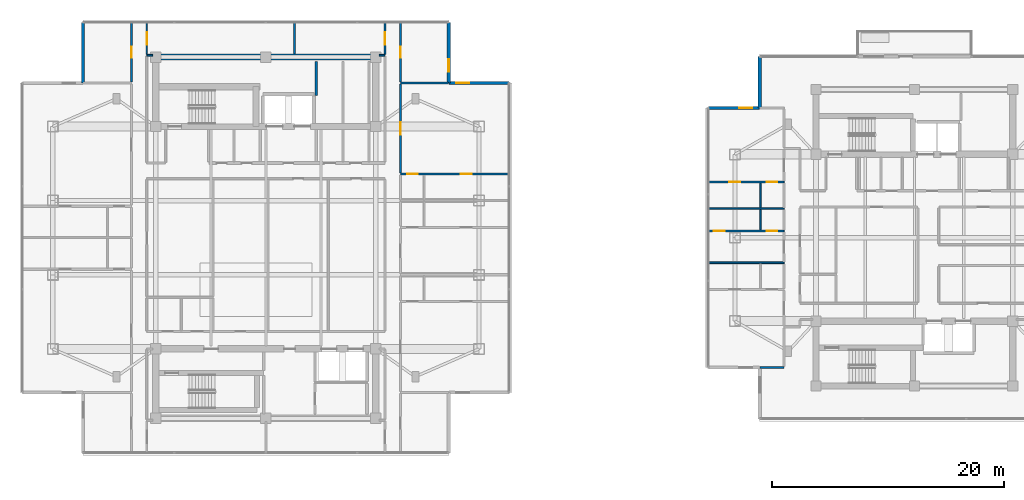
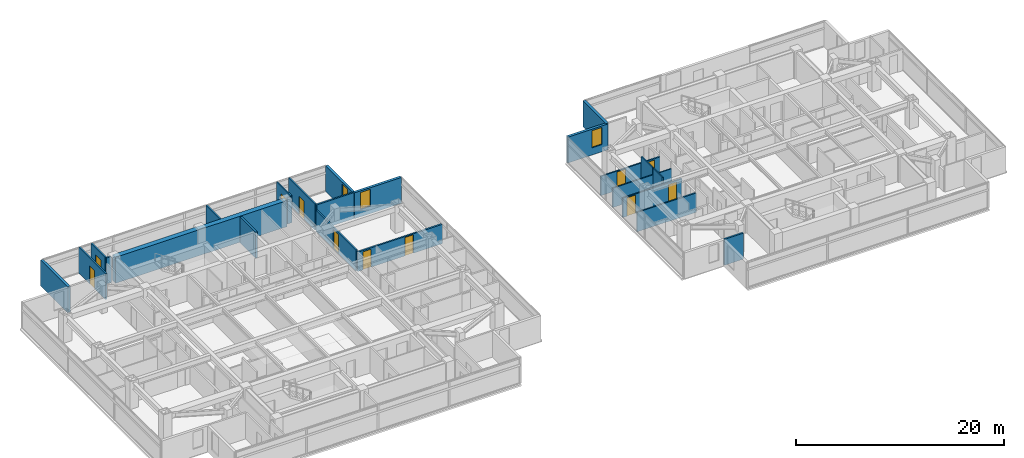
# One storey, part 16 of 26: 24 walls, 11 doors, 3 windows, 14 openings.
"""IFC4 building model written with IfcOpenShell, lengths in metres."""

from ifc_helpers import new_model, si_unit, direction, frame, frame_2d, origin, place, context, subcontext, project, spatial, rectangle, extrude, material, layer, layer_set, type_object, element, fill, save


model = new_model("IFC4")

# Units and contexts
model_context = context("Model", 3, precision=1e-05, world=origin(), true_north=direction((0.0, 1.0)))
body_context = subcontext(model_context, "Body", "Model", "MODEL_VIEW")
ifc_project = project(units=[si_unit("LENGTHUNIT", "METRE"), si_unit("AREAUNIT", "SQUARE_METRE"), si_unit("VOLUMEUNIT", "CUBIC_METRE"), si_unit("PLANEANGLEUNIT", "RADIAN"), si_unit("MASSUNIT", "GRAM", prefix="KILO")], contexts=[model_context])

# Site, building, storey
site_placement = place(None, origin())
site = spatial("IfcSite", under=ifc_project, at=site_placement, CompositionType="ELEMENT")
building_placement = place(site_placement, origin())
building = spatial("IfcBuilding", under=site, at=building_placement, Name="Mirazonda Arch Towers", CompositionType="ELEMENT")
storey_placement = place(building_placement, frame((0.0, 0.0, 203.14990234375)))
storey = spatial("IfcBuildingStorey", under=building, at=storey_placement, Name="L58", CompositionType="ELEMENT", Elevation=203.14990234375)

# Wall
ifc_material_1 = material(Name="Concrete C50/60", Category="concrete")
ifc_layer_1 = layer(ifc_material_1, 0.550048828125, Name="WALL-CORE-550")
ifc_layer_set_1 = layer_set([ifc_layer_1], Name="Concrete C50/60")
wall_type_1 = type_object("IfcWallType", Name="WALL-CORE-550", PredefinedType="SHEAR", material=ifc_layer_set_1)
wall_1_placement = place(storey_placement, frame((11.0, 43.60009765625, 0.0), z_axis=(0.0, 0.0, 1.0), x_axis=(1.0, 0.0, 0.0)))
element("IfcWall", 1, at=wall_1_placement, inside=storey, type_object=wall_type_1, Name="L58 T1N-N Core Shear Wall", PredefinedType="SHEAR", context=body_context, shape_type="SweptSolid", body=[
    extrude(rectangle(XDim=19.0, YDim=0.550048828125, at=frame_2d((9.5, 0.0))), origin(), (0.0, 0.0, 1.0), 3.050048828125),
])

# Wall, opening, window
ifc_material_2 = material(Name="Precast Concrete C40/50", Category="concrete")
ifc_layer_2 = layer(ifc_material_2, 0.280029296875, Name="WALL-EXT-WALL-280")
ifc_layer_set_2 = layer_set([ifc_layer_2], Name="Precast Concrete C40/50")
wall_type_2 = type_object("IfcWallType", Name="WALL-EXT-WALL-280", PredefinedType="SOLIDWALL", material=ifc_layer_set_2)
wall_2_placement = place(storey_placement, frame((36.294921875, 41.363037109375, 0.0), z_axis=(0.0, 0.0, 1.0), x_axis=(0.0, 1.0, 0.0)))
wall_2 = element("IfcWall", 2, at=wall_2_placement, inside=storey, type_object=wall_type_2, Name="L58 T1 Notched NE Corner Wall WL-L58-T1-CNE", PredefinedType="SOLIDWALL", context=body_context, shape_type="SweptSolid", body=[
    extrude(rectangle(XDim=5.21484375, YDim=0.280029296875, at=frame_2d((2.607421875, 0.0))), origin(), (0.0, 0.0, 1.0), 3.030029296875),
])
opening_1_placement = place(wall_2_placement, frame((0.949951171875, 0.0, 0.85009765625)))
opening_1 = element("IfcOpeningElement", 3, at=opening_1_placement, cuts=wall_2, Name="Opening WN-108", PredefinedType="OPENING", context=body_context, shape_type="SweptSolid", body=[
    extrude(rectangle(XDim=1.10009765625, YDim=2.0, at=frame_2d((0.550048828125, 1.0))), frame((0.0, 0.14990234375, 0.0), z_axis=(0.0, -1.0, 0.0), x_axis=(1.0, 0.0, 0.0)), (0.0, 0.0, 1.0), 0.300048828125),
])
ifc_material_3 = material(Name="Insulated Low-E Solar Glass", Category="glass")
window_type = type_object("IfcWindowType", Name="WIN-NOTCH-1100x2000", PartitioningType="SINGLE_PANEL", PredefinedType="WINDOW", material=ifc_material_3)
window_1_placement = place(opening_1_placement, origin())
window_1 = element("IfcWindow", 4, at=window_1_placement, inside=storey, type_object=window_type, Name="L58 Punched Facade Window WN-L58-T1-CNE", OverallHeight=2.0, OverallWidth=1.10009765625, PartitioningType="SINGLE_PANEL", PredefinedType="WINDOW", context=body_context, shape_type="SweptSolid", body=[
    extrude(rectangle(XDim=1.10009765625, YDim=2.0, at=frame_2d((0.550048828125, 1.0))), frame((0.0, 0.030029296875, 0.0), z_axis=(0.0, -1.0, 0.0), x_axis=(1.0, 0.0, 0.0)), (0.0, 0.0, 1.0), 0.06005859375),
])
fill(opening_1, window_1)

# Wall
wall_3_placement = place(storey_placement, frame((4.705078125, 46.577880859375, 0.0), z_axis=(0.0, 0.0, 1.0), x_axis=(0.0, -1.0, 0.0)))
element("IfcWall", 5, at=wall_3_placement, inside=storey, type_object=wall_type_2, Name="L58 T1 Corner Notch Return Wall WL-L58-T1-CNW2", PredefinedType="SOLIDWALL", context=body_context, shape_type="SweptSolid", body=[
    extrude(rectangle(XDim=5.21484375, YDim=0.280029296875, at=frame_2d((2.607421875, 0.0))), origin(), (0.0, 0.0, 1.0), 3.030029296875),
])

# Wall, opening, window
wall_4_placement = place(storey_placement, frame((41.510009765625, 41.363037109375, 0.0), z_axis=(0.0, 0.0, 1.0), x_axis=(-1.0, 0.0, 0.0)))
wall_4 = element("IfcWall", 6, at=wall_4_placement, inside=storey, type_object=wall_type_2, Name="L58 T1 Corner Notch Return Wall WL-L58-T1-CNE2", PredefinedType="SOLIDWALL", context=body_context, shape_type="SweptSolid", body=[
    extrude(rectangle(XDim=5.215087890625, YDim=0.280029296875, at=frame_2d((2.607421875, 0.0))), origin(), (0.0, 0.0, 1.0), 3.030029296875),
])
opening_2_placement = place(wall_4_placement, frame((3.465087890625, 0.0, 0.85009765625)))
opening_2 = element("IfcOpeningElement", 7, at=opening_2_placement, cuts=wall_4, Name="Opening WN-108", PredefinedType="OPENING", context=body_context, shape_type="SweptSolid", body=[
    extrude(rectangle(XDim=1.10009765625, YDim=2.0, at=frame_2d((0.550048828125, 1.0))), frame((0.0, 0.14990234375, 0.0), z_axis=(0.0, -1.0, 0.0), x_axis=(1.0, 0.0, 0.0)), (0.0, 0.0, 1.0), 0.300048828125),
])
window_2_placement = place(opening_2_placement, origin())
window_2 = element("IfcWindow", 8, at=window_2_placement, inside=storey, type_object=window_type, Name="L58 Punched Facade Window WN-L58-T1-CNE2", OverallHeight=2.0, OverallWidth=1.10009765625, PartitioningType="SINGLE_PANEL", PredefinedType="WINDOW", context=body_context, shape_type="SweptSolid", body=[
    extrude(rectangle(XDim=1.10009765625, YDim=2.0, at=frame_2d((0.550048828125, 1.0))), frame((0.0, 0.030029296875, 0.0), z_axis=(0.0, -1.0, 0.0), x_axis=(1.0, 0.0, 0.0)), (0.0, 0.0, 1.0), 0.06005859375),
])
fill(opening_2, window_2)

wall_5_placement = place(storey_placement, frame((63.13427734375, 39.198486328125, 0.0), z_axis=(0.0, 0.0, 1.0), x_axis=(-1.0, 0.0, 0.0)))
wall_5 = element("IfcWall", 9, at=wall_5_placement, inside=storey, type_object=wall_type_2, Name="L58 T2 Corner Notch Return Wall WL-L58-T2-CNW1", PredefinedType="SOLIDWALL", context=body_context, shape_type="SweptSolid", body=[
    extrude(rectangle(XDim=4.439697265625, YDim=0.280029296875, at=frame_2d((2.2197265625, 0.0))), origin(), (0.0, 0.0, 1.0), 3.030029296875),
])
opening_3_placement = place(wall_5_placement, frame((0.64990234375, 0.0, 0.85009765625)))
opening_3 = element("IfcOpeningElement", 10, at=opening_3_placement, cuts=wall_5, Name="Opening WN-108", PredefinedType="OPENING", context=body_context, shape_type="SweptSolid", body=[
    extrude(rectangle(XDim=1.10009765625, YDim=2.0, at=frame_2d((0.550048828125, 1.0))), frame((0.0, 0.14990234375, 0.0), z_axis=(0.0, -1.0, 0.0), x_axis=(1.0, 0.0, 0.0)), (0.0, 0.0, 1.0), 0.300048828125),
])
window_3_placement = place(opening_3_placement, origin())
window_3 = element("IfcWindow", 11, at=window_3_placement, inside=storey, type_object=window_type, Name="L58 Punched Facade Window WN-L58-T2-CNW1", OverallHeight=2.0, OverallWidth=1.10009765625, PartitioningType="SINGLE_PANEL", PredefinedType="WINDOW", context=body_context, shape_type="SweptSolid", body=[
    extrude(rectangle(XDim=1.10009765625, YDim=2.0, at=frame_2d((0.550048828125, 1.0))), frame((0.0, 0.030029296875, 0.0), z_axis=(0.0, -1.0, 0.0), x_axis=(1.0, 0.0, 0.0)), (0.0, 0.0, 1.0), 0.06005859375),
])
fill(opening_3, window_3)

# Walls
wall_6_placement = place(storey_placement, frame((63.13427734375, 43.63818359375, 0.0), z_axis=(0.0, 0.0, 1.0), x_axis=(0.0, -1.0, 0.0)))
element("IfcWall", 12, at=wall_6_placement, inside=storey, type_object=wall_type_2, Name="L58 T2 Corner Notch Return Wall WL-L58-T2-CNW2", PredefinedType="SOLIDWALL", context=body_context, shape_type="SweptSolid", body=[
    extrude(rectangle(XDim=4.439697265625, YDim=0.280029296875, at=frame_2d((2.2197265625, 0.0))), origin(), (0.0, 0.0, 1.0), 3.030029296875),
])
ifc_material_4 = material(Name="Concrete C40/50", Category="concrete")
ifc_layer_3 = layer(ifc_material_4, 0.219970703125, Name="WALL-FFL-220")
ifc_layer_set_3 = layer_set([ifc_layer_3], Name="Concrete C40/50")
wall_type_3 = type_object("IfcWallType", Name="WALL-FFL-220", PredefinedType="SOLIDWALL", material=ifc_layer_set_3)
wall_7_placement = place(storey_placement, frame((24.85009765625, 40.260009765625, 0.0), z_axis=(0.0, 0.0, 1.0), x_axis=(0.0, 1.0, 0.0)))
element("IfcWall", 13, at=wall_7_placement, inside=storey, type_object=wall_type_3, Name="L58 Interior Partition 090", PredefinedType="SOLIDWALL", context=body_context, shape_type="SweptSolid", body=[
    extrude(rectangle(XDim=2.93994140625, YDim=0.219970703125, at=frame_2d((1.469970703125, 0.0))), origin(), (0.0, 0.0, 1.0), 3.050048828125),
])
ifc_material_5 = material(Name="Fire-Rated Gypsum Stud Partition")
ifc_layer_4 = layer(ifc_material_5, 0.14990234375, Name="WALL-PART-CORR-150")
ifc_layer_set_4 = layer_set([ifc_layer_4], Name="Fire-Rated Gypsum Stud Partition")
wall_type_4 = type_object("IfcWallType", Name="WALL-PART-CORR-150", PredefinedType="PARTITIONING", material=ifc_layer_set_4)
wall_8_placement = place(storey_placement, frame((58.694091796875, 25.833984375, 0.0), z_axis=(0.0, 0.0, 1.0), x_axis=(1.0, 0.0, 0.0)))
element("IfcWall", 14, at=wall_8_placement, inside=storey, type_object=wall_type_4, Name="L58 Interior Partition 029", PredefinedType="PARTITIONING", context=body_context, shape_type="SweptSolid", body=[
    extrude(rectangle(XDim=6.555908203125, YDim=0.14990234375, at=frame_2d((3.27783203125, 0.0))), origin(), (0.0, 0.0, 1.0), 2.26904296875),
])

# Wall, openings, doors
wall_9_placement = place(storey_placement, frame((58.694091796875, 28.587890625, 0.0), z_axis=(0.0, 0.0, 1.0), x_axis=(1.0, 0.0, 0.0)))
wall_9 = element("IfcWall", 15, at=wall_9_placement, inside=storey, type_object=wall_type_4, Name="L58 Interior Partition 032", PredefinedType="PARTITIONING", context=body_context, shape_type="SweptSolid", body=[
    extrude(rectangle(XDim=6.555908203125, YDim=0.14990234375, at=frame_2d((3.27783203125, 0.0))), origin(), (0.0, 0.0, 1.0), 2.26904296875),
])
opening_4_placement = place(wall_9_placement, frame((0.452880859375, 0.0, 0.0)))
opening_4 = element("IfcOpeningElement", 16, at=opening_4_placement, cuts=wall_9, Name="Opening DR-104", PredefinedType="OPENING", context=body_context, shape_type="SweptSolid", body=[
    extrude(rectangle(XDim=0.949951171875, YDim=2.14990234375, at=frame_2d((0.47509765625, 1.074951171875))), frame((0.0, 0.0849609375, 0.0), z_axis=(0.0, -1.0, 0.0), x_axis=(1.0, 0.0, 0.0)), (0.0, 0.0, 1.0), 0.169921875),
])
opening_5_placement = place(wall_9_placement, frame((5.06591796875, 0.0, 0.0)))
opening_5 = element("IfcOpeningElement", 17, at=opening_5_placement, cuts=wall_9, Name="Opening DR-120", PredefinedType="OPENING", context=body_context, shape_type="SweptSolid", body=[
    extrude(rectangle(XDim=0.89990234375, YDim=2.10009765625, at=frame_2d((0.449951171875, 1.050048828125))), frame((0.0, 0.0849609375, 0.0), z_axis=(0.0, -1.0, 0.0), x_axis=(1.0, 0.0, 0.0)), (0.0, 0.0, 1.0), 0.169921875),
])
ifc_material_6 = material(Name="Architectural Brushed Steel S355", Category="steel")
door_type_1 = type_object("IfcDoorType", Name="DOOR-ROOM-950", OperationType="NOTDEFINED", PredefinedType="DOOR", material=ifc_material_6)
door_1_placement = place(opening_4_placement, origin())
door_1 = element("IfcDoor", 18, at=door_1_placement, inside=storey, type_object=door_type_1, Name="L58 Studio 2 Galley Kitchen Door", OperationType="SINGLE_SWING_LEFT", OverallHeight=2.14990234375, OverallWidth=0.949951171875, PredefinedType="DOOR", context=body_context, shape_type="SweptSolid", body=[
    extrude(rectangle(XDim=0.949951171875, YDim=2.14990234375, at=frame_2d((0.47509765625, 1.074951171875))), frame((0.0, 0.02490234375, 0.0), z_axis=(0.0, -1.0, 0.0), x_axis=(1.0, 0.0, 0.0)), (0.0, 0.0, 1.0), 0.050048828125),
])
fill(opening_4, door_1)
door_type_2 = type_object("IfcDoorType", Name="DOOR-WC-900", OperationType="NOTDEFINED", PredefinedType="DOOR", material=ifc_material_6)
door_2_placement = place(opening_5_placement, origin())
door_2 = element("IfcDoor", 19, at=door_2_placement, inside=storey, type_object=door_type_2, Name="L58 Studio 2 Bathroom Door", OperationType="SINGLE_SWING_RIGHT", OverallHeight=2.10009765625, OverallWidth=0.89990234375, PredefinedType="DOOR", context=body_context, shape_type="SweptSolid", body=[
    extrude(rectangle(XDim=0.89990234375, YDim=2.10009765625, at=frame_2d((0.449951171875, 1.050048828125))), frame((0.0, 0.02490234375, 0.0), z_axis=(0.0, -1.0, 0.0), x_axis=(1.0, 0.0, 0.0)), (0.0, 0.0, 1.0), 0.050048828125),
])
fill(opening_5, door_2)

wall_10_placement = place(storey_placement, frame((58.694091796875, 32.80810546875, 0.0), z_axis=(0.0, 0.0, 1.0), x_axis=(1.0, 0.0, 0.0)))
wall_10 = element("IfcWall", 20, at=wall_10_placement, inside=storey, type_object=wall_type_4, Name="L58 Interior Partition 041", PredefinedType="PARTITIONING", context=body_context, shape_type="SweptSolid", body=[
    extrude(rectangle(XDim=6.555908203125, YDim=0.14990234375, at=frame_2d((3.27783203125, 0.0))), origin(), (0.0, 0.0, 1.0), 2.26904296875),
])
opening_6_placement = place(wall_10_placement, frame((1.802978515625, 0.0, 0.0)))
opening_6 = element("IfcOpeningElement", 21, at=opening_6_placement, cuts=wall_10, Name="Opening DR-104", PredefinedType="OPENING", context=body_context, shape_type="SweptSolid", body=[
    extrude(rectangle(XDim=0.949951171875, YDim=2.14990234375, at=frame_2d((0.47509765625, 1.074951171875))), frame((0.0, 0.0849609375, 0.0), z_axis=(0.0, -1.0, 0.0), x_axis=(1.0, 0.0, 0.0)), (0.0, 0.0, 1.0), 0.169921875),
])
opening_7_placement = place(wall_10_placement, frame((5.06591796875, 0.0, 0.0)))
opening_7 = element("IfcOpeningElement", 22, at=opening_7_placement, cuts=wall_10, Name="Opening DR-120", PredefinedType="OPENING", context=body_context, shape_type="SweptSolid", body=[
    extrude(rectangle(XDim=0.89990234375, YDim=2.10009765625, at=frame_2d((0.449951171875, 1.050048828125))), frame((0.0, 0.0849609375, 0.0), z_axis=(0.0, -1.0, 0.0), x_axis=(1.0, 0.0, 0.0)), (0.0, 0.0, 1.0), 0.169921875),
])
door_3_placement = place(opening_6_placement, origin())
door_3 = element("IfcDoor", 23, at=door_3_placement, inside=storey, type_object=door_type_1, Name="L58 Studio 3 Galley Kitchen Door", OperationType="SINGLE_SWING_RIGHT", OverallHeight=2.14990234375, OverallWidth=0.949951171875, PredefinedType="DOOR", context=body_context, shape_type="SweptSolid", body=[
    extrude(rectangle(XDim=0.949951171875, YDim=2.14990234375, at=frame_2d((0.47509765625, 1.074951171875))), frame((0.0, 0.02490234375, 0.0), z_axis=(0.0, -1.0, 0.0), x_axis=(1.0, 0.0, 0.0)), (0.0, 0.0, 1.0), 0.050048828125),
])
fill(opening_6, door_3)
door_4_placement = place(opening_7_placement, origin())
door_4 = element("IfcDoor", 24, at=door_4_placement, inside=storey, type_object=door_type_2, Name="L58 Studio 3 Bathroom Door", OperationType="SINGLE_SWING_LEFT", OverallHeight=2.10009765625, OverallWidth=0.89990234375, PredefinedType="DOOR", context=body_context, shape_type="SweptSolid", body=[
    extrude(rectangle(XDim=0.89990234375, YDim=2.10009765625, at=frame_2d((0.449951171875, 1.050048828125))), frame((0.0, 0.02490234375, 0.0), z_axis=(0.0, -1.0, 0.0), x_axis=(1.0, 0.0, 0.0)), (0.0, 0.0, 1.0), 0.050048828125),
])
fill(opening_7, door_4)

# Walls
for number, where, z_axis, x_axis, name in (
    (25, (10.219970703125, 43.75, 0.0), (0.0, 0.0, 1.0), (1.0, 0.0, 0.0), "L58 Interior Partition 056"),
    (26, (30.27001953125, 43.75, 0.0), (0.0, 0.0, 1.0), (1.0, 0.0, 0.0), "L58 Interior Partition 057"),
):
    element("IfcWall", number, at=place(storey_placement, frame(where, z_axis=z_axis, x_axis=x_axis)), inside=storey, type_object=wall_type_4, Name=name, PredefinedType="PARTITIONING", context=body_context, shape_type="SweptSolid", body=[
        extrude(rectangle(XDim=0.510009765625, YDim=0.14990234375, at=frame_2d((0.2548828125, 0.0))), origin(), (0.0, 0.0, 1.0), 3.050048828125),
    ])

# Wall, opening, door
wall_11_placement = place(storey_placement, frame((10.219970703125, 43.8349609375, 0.0), z_axis=(0.0, 0.0, 1.0), x_axis=(0.0, 1.0, 0.0)))
wall_11 = element("IfcWall", 27, at=wall_11_placement, inside=storey, type_object=wall_type_4, Name="L58 Interior Partition 071", PredefinedType="PARTITIONING", context=body_context, shape_type="SweptSolid", body=[
    extrude(rectangle(XDim=2.742919921875, YDim=0.14990234375, at=frame_2d((1.37158203125, 0.0))), origin(), (0.0, 0.0, 1.0), 3.050048828125),
])
opening_8_placement = place(wall_11_placement, frame((0.846435546875, 0.0, 0.0)))
opening_8 = element("IfcOpeningElement", 28, at=opening_8_placement, cuts=wall_11, Name="Opening DR-121", PredefinedType="OPENING", context=body_context, shape_type="SweptSolid", body=[
    extrude(rectangle(XDim=1.050048828125, YDim=2.199951171875, at=frame_2d((0.52490234375, 1.10009765625))), frame((0.0, 0.0849609375, 0.0), z_axis=(0.0, -1.0, 0.0), x_axis=(1.0, 0.0, 0.0)), (0.0, 0.0, 1.0), 0.169921875),
])
door_type_3 = type_object("IfcDoorType", Name="DOOR-SUITE-FD60-1050", OperationType="NOTDEFINED", PredefinedType="DOOR", material=ifc_material_6)
door_5_placement = place(opening_8_placement, origin())
door_5 = element("IfcDoor", 29, at=door_5_placement, inside=storey, type_object=door_type_3, Name="L58 North Reading Salon West Door", OperationType="SINGLE_SWING_RIGHT", OverallHeight=2.199951171875, OverallWidth=1.050048828125, PredefinedType="DOOR", context=body_context, shape_type="SweptSolid", body=[
    extrude(rectangle(XDim=1.050048828125, YDim=2.199951171875, at=frame_2d((0.52490234375, 1.10009765625))), frame((0.0, 0.02490234375, 0.0), z_axis=(0.0, -1.0, 0.0), x_axis=(1.0, 0.0, 0.0)), (0.0, 0.0, 1.0), 0.050048828125),
])
fill(opening_8, door_5)

# Wall
wall_12_placement = place(storey_placement, frame((22.967041015625, 43.8701171875, 0.0), z_axis=(0.0, 0.0, 1.0), x_axis=(0.0, 1.0, 0.0)))
element("IfcWall", 30, at=wall_12_placement, inside=storey, type_object=wall_type_4, Name="L58 Interior Partition 085", PredefinedType="PARTITIONING", context=body_context, shape_type="SweptSolid", body=[
    extrude(rectangle(XDim=2.707763671875, YDim=0.14990234375, at=frame_2d((1.35400390625, 0.0))), origin(), (0.0, 0.0, 1.0), 3.050048828125),
])

# Wall, opening, door
wall_13_placement = place(storey_placement, frame((30.780029296875, 43.8349609375, 0.0), z_axis=(0.0, 0.0, 1.0), x_axis=(0.0, 1.0, 0.0)))
wall_13 = element("IfcWall", 31, at=wall_13_placement, inside=storey, type_object=wall_type_4, Name="L58 Interior Partition 102", PredefinedType="PARTITIONING", context=body_context, shape_type="SweptSolid", body=[
    extrude(rectangle(XDim=2.742919921875, YDim=0.14990234375, at=frame_2d((1.37158203125, 0.0))), origin(), (0.0, 0.0, 1.0), 3.050048828125),
])
opening_9_placement = place(wall_13_placement, frame((0.846435546875, 0.0, 0.0)))
opening_9 = element("IfcOpeningElement", 32, at=opening_9_placement, cuts=wall_13, Name="Opening DR-121", PredefinedType="OPENING", context=body_context, shape_type="SweptSolid", body=[
    extrude(rectangle(XDim=1.050048828125, YDim=2.199951171875, at=frame_2d((0.52490234375, 1.10009765625))), frame((0.0, 0.0849609375, 0.0), z_axis=(0.0, -1.0, 0.0), x_axis=(1.0, 0.0, 0.0)), (0.0, 0.0, 1.0), 0.169921875),
])
door_6_placement = place(opening_9_placement, origin())
door_6 = element("IfcDoor", 33, at=door_6_placement, inside=storey, type_object=door_type_3, Name="L58 North Reading Salon East Door", OperationType="SINGLE_SWING_LEFT", OverallHeight=2.199951171875, OverallWidth=1.050048828125, PredefinedType="DOOR", context=body_context, shape_type="SweptSolid", body=[
    extrude(rectangle(XDim=1.050048828125, YDim=2.199951171875, at=frame_2d((0.52490234375, 1.10009765625))), frame((0.0, 0.02490234375, 0.0), z_axis=(0.0, -1.0, 0.0), x_axis=(1.0, 0.0, 0.0)), (0.0, 0.0, 1.0), 0.050048828125),
])
fill(opening_9, door_6)

# Wall
ifc_material_7 = material(Name="Fire-Rated Gypsum Twin-Stud Assembly")
ifc_layer_5 = layer(ifc_material_7, 0.179931640625, Name="WALL-PART-DEMISE-180")
ifc_layer_set_5 = layer_set([ifc_layer_5], Name="Fire-Rated Gypsum Twin-Stud Assembly")
wall_type_5 = type_object("IfcWallType", Name="WALL-PART-DEMISE-180", PredefinedType="PARTITIONING", material=ifc_layer_set_5)
wall_14_placement = place(storey_placement, frame((63.154296875, 16.801025390625, 0.0), z_axis=(0.0, 0.0, 1.0), x_axis=(1.0, 0.0, 0.0)))
element("IfcWall", 34, at=wall_14_placement, inside=storey, type_object=wall_type_5, Name="L58 Interior Partition 008", PredefinedType="PARTITIONING", context=body_context, shape_type="SweptSolid", body=[
    extrude(rectangle(XDim=2.095703125, YDim=0.179931640625, at=frame_2d((1.0478515625, 0.0))), origin(), (0.0, 0.0, 1.0), 3.050048828125),
])

# Wall, openings, doors
wall_15_placement = place(storey_placement, frame((32.1201171875, 33.5, 0.0), z_axis=(0.0, 0.0, 1.0), x_axis=(1.0, 0.0, 0.0)))
wall_15 = element("IfcWall", 35, at=wall_15_placement, inside=storey, type_object=wall_type_5, Name="L58 Interior Partition 043", PredefinedType="PARTITIONING", context=body_context, shape_type="SweptSolid", body=[
    extrude(rectangle(XDim=9.389892578125, YDim=0.179931640625, at=frame_2d((4.69482421875, 0.0))), origin(), (0.0, 0.0, 1.0), 2.26904296875),
])
opening_10_placement = place(wall_15_placement, frame((5.219970703125, 0.0, 0.0)))
opening_10 = element("IfcOpeningElement", 36, at=opening_10_placement, cuts=wall_15, Name="Opening DR-104", PredefinedType="OPENING", context=body_context, shape_type="SweptSolid", body=[
    extrude(rectangle(XDim=0.949951171875, YDim=2.14990234375, at=frame_2d((0.47509765625, 1.074951171875))), frame((0.0, 0.099853515625, 0.0), z_axis=(0.0, -1.0, 0.0), x_axis=(1.0, 0.0, 0.0)), (0.0, 0.0, 1.0), 0.199951171875),
])
opening_11_placement = place(wall_15_placement, frame((0.590087890625, 0.0, 0.0)))
opening_11 = element("IfcOpeningElement", 37, at=opening_11_placement, cuts=wall_15, Name="Opening DR-120", PredefinedType="OPENING", context=body_context, shape_type="SweptSolid", body=[
    extrude(rectangle(XDim=0.89990234375, YDim=2.10009765625, at=frame_2d((0.449951171875, 1.050048828125))), frame((0.0, 0.099853515625, 0.0), z_axis=(0.0, -1.0, 0.0), x_axis=(1.0, 0.0, 0.0)), (0.0, 0.0, 1.0), 0.199951171875),
])
door_7_placement = place(opening_10_placement, origin())
door_7 = element("IfcDoor", 38, at=door_7_placement, inside=storey, type_object=door_type_1, Name="L58 Suite Bedroom 3 Door", OperationType="SINGLE_SWING_LEFT", OverallHeight=2.14990234375, OverallWidth=0.949951171875, PredefinedType="DOOR", context=body_context, shape_type="SweptSolid", body=[
    extrude(rectangle(XDim=0.949951171875, YDim=2.14990234375, at=frame_2d((0.47509765625, 1.074951171875))), frame((0.0, 0.02490234375, 0.0), z_axis=(0.0, -1.0, 0.0), x_axis=(1.0, 0.0, 0.0)), (0.0, 0.0, 1.0), 0.050048828125),
])
fill(opening_10, door_7)
door_8_placement = place(opening_11_placement, origin())
door_8 = element("IfcDoor", 39, at=door_8_placement, inside=storey, type_object=door_type_2, Name="L58 Suite En-Suite Bathroom 3 Door", OperationType="SINGLE_SWING_RIGHT", OverallHeight=2.10009765625, OverallWidth=0.89990234375, PredefinedType="DOOR", context=body_context, shape_type="SweptSolid", body=[
    extrude(rectangle(XDim=0.89990234375, YDim=2.10009765625, at=frame_2d((0.449951171875, 1.050048828125))), frame((0.0, 0.02490234375, 0.0), z_axis=(0.0, -1.0, 0.0), x_axis=(1.0, 0.0, 0.0)), (0.0, 0.0, 1.0), 0.050048828125),
])
fill(opening_11, door_8)

# Wall
wall_16_placement = place(storey_placement, frame((32.1201171875, 41.363037109375, 0.0), z_axis=(0.0, 0.0, 1.0), x_axis=(1.0, 0.0, 0.0)))
element("IfcWall", 40, at=wall_16_placement, inside=storey, type_object=wall_type_5, Name="L58 Interior Partition 055", PredefinedType="PARTITIONING", context=body_context, shape_type="SweptSolid", body=[
    extrude(rectangle(XDim=4.15478515625, YDim=0.179931640625, at=frame_2d((2.077392578125, 0.0))), origin(), (0.0, 0.0, 1.0), 3.050048828125),
])

# Wall, opening, door
wall_17_placement = place(storey_placement, frame((8.8798828125, 41.462890625, 0.0), z_axis=(0.0, 0.0, 1.0), x_axis=(0.0, 1.0, 0.0)))
wall_17 = element("IfcWall", 41, at=wall_17_placement, inside=storey, type_object=wall_type_5, Name="L58 Interior Partition 065", PredefinedType="PARTITIONING", context=body_context, shape_type="SweptSolid", body=[
    extrude(rectangle(XDim=5.114990234375, YDim=0.179931640625, at=frame_2d((2.5576171875, 0.0))), origin(), (0.0, 0.0, 1.0), 3.050048828125),
])
opening_12_placement = place(wall_17_placement, frame((2.08251953125, 0.0, 0.0)))
opening_12 = element("IfcOpeningElement", 42, at=opening_12_placement, cuts=wall_17, Name="Opening DR-104", PredefinedType="OPENING", context=body_context, shape_type="SweptSolid", body=[
    extrude(rectangle(XDim=0.949951171875, YDim=2.14990234375, at=frame_2d((0.47509765625, 1.074951171875))), frame((0.0, 0.099853515625, 0.0), z_axis=(0.0, -1.0, 0.0), x_axis=(1.0, 0.0, 0.0)), (0.0, 0.0, 1.0), 0.199951171875),
])
door_9_placement = place(opening_12_placement, origin())
door_9 = element("IfcDoor", 43, at=door_9_placement, inside=storey, type_object=door_type_1, Name="L58 North Reading Salon Alcove West Door", OperationType="SINGLE_SWING_RIGHT", OverallHeight=2.14990234375, OverallWidth=0.949951171875, PredefinedType="DOOR", context=body_context, shape_type="SweptSolid", body=[
    extrude(rectangle(XDim=0.949951171875, YDim=2.14990234375, at=frame_2d((0.47509765625, 1.074951171875))), frame((0.0, 0.02490234375, 0.0), z_axis=(0.0, -1.0, 0.0), x_axis=(1.0, 0.0, 0.0)), (0.0, 0.0, 1.0), 0.050048828125),
])
fill(opening_12, door_9)

wall_18_placement = place(storey_placement, frame((32.1201171875, 33.60009765625, 0.0), z_axis=(0.0, 0.0, 1.0), x_axis=(0.0, 1.0, 0.0)))
wall_18 = element("IfcWall", 44, at=wall_18_placement, inside=storey, type_object=wall_type_5, Name="L58 Interior Partition 109", PredefinedType="PARTITIONING", context=body_context, shape_type="SweptSolid", body=[
    extrude(rectangle(XDim=7.662841796875, YDim=0.179931640625, at=frame_2d((3.83154296875, 0.0))), origin(), (0.0, 0.0, 1.0), 2.442138671875),
])
opening_13_placement = place(wall_18_placement, frame((3.306396484375, 0.0, 0.0)))
opening_13 = element("IfcOpeningElement", 45, at=opening_13_placement, cuts=wall_18, Name="Opening DR-121", PredefinedType="OPENING", context=body_context, shape_type="SweptSolid", body=[
    extrude(rectangle(XDim=1.050048828125, YDim=2.199951171875, at=frame_2d((0.52490234375, 1.10009765625))), frame((0.0, 0.099853515625, 0.0), z_axis=(0.0, -1.0, 0.0), x_axis=(1.0, 0.0, 0.0)), (0.0, 0.0, 1.0), 0.199951171875),
])
door_10_placement = place(opening_13_placement, origin())
door_10 = element("IfcDoor", 46, at=door_10_placement, inside=storey, type_object=door_type_3, Name="L58 Presidential Hotel Suite 3 Door", OperationType="SINGLE_SWING_RIGHT", OverallHeight=2.199951171875, OverallWidth=1.050048828125, PredefinedType="DOOR", context=body_context, shape_type="SweptSolid", body=[
    extrude(rectangle(XDim=1.050048828125, YDim=2.199951171875, at=frame_2d((0.52490234375, 1.10009765625))), frame((0.0, 0.02490234375, 0.0), z_axis=(0.0, -1.0, 0.0), x_axis=(1.0, 0.0, 0.0)), (0.0, 0.0, 1.0), 0.050048828125),
])
fill(opening_13, door_10)

wall_19_placement = place(storey_placement, frame((32.1201171875, 41.462890625, 0.0), z_axis=(0.0, 0.0, 1.0), x_axis=(0.0, 1.0, 0.0)))
wall_19 = element("IfcWall", 47, at=wall_19_placement, inside=storey, type_object=wall_type_5, Name="L58 Interior Partition 110", PredefinedType="PARTITIONING", context=body_context, shape_type="SweptSolid", body=[
    extrude(rectangle(XDim=5.114990234375, YDim=0.179931640625, at=frame_2d((2.5576171875, 0.0))), origin(), (0.0, 0.0, 1.0), 3.050048828125),
])
opening_14_placement = place(wall_19_placement, frame((2.08251953125, 0.0, 0.0)))
opening_14 = element("IfcOpeningElement", 48, at=opening_14_placement, cuts=wall_19, Name="Opening DR-104", PredefinedType="OPENING", context=body_context, shape_type="SweptSolid", body=[
    extrude(rectangle(XDim=0.949951171875, YDim=2.14990234375, at=frame_2d((0.47509765625, 1.074951171875))), frame((0.0, 0.099853515625, 0.0), z_axis=(0.0, -1.0, 0.0), x_axis=(1.0, 0.0, 0.0)), (0.0, 0.0, 1.0), 0.199951171875),
])
door_11_placement = place(opening_14_placement, origin())
door_11 = element("IfcDoor", 49, at=door_11_placement, inside=storey, type_object=door_type_1, Name="L58 North Reading Salon Alcove East Door", OperationType="SINGLE_SWING_LEFT", OverallHeight=2.14990234375, OverallWidth=0.949951171875, PredefinedType="DOOR", context=body_context, shape_type="SweptSolid", body=[
    extrude(rectangle(XDim=0.949951171875, YDim=2.14990234375, at=frame_2d((0.47509765625, 1.074951171875))), frame((0.0, 0.02490234375, 0.0), z_axis=(0.0, -1.0, 0.0), x_axis=(1.0, 0.0, 0.0)), (0.0, 0.0, 1.0), 0.050048828125),
])
fill(opening_14, door_11)

# Walls
ifc_material_8 = material(Name="Acoustic Fire-Rated Gypsum Partition")
ifc_layer_6 = layer(ifc_material_8, 0.125, Name="WALL-PART-UNIT-125")
ifc_layer_set_6 = layer_set([ifc_layer_6], Name="Acoustic Fire-Rated Gypsum Partition")
wall_type_6 = type_object("IfcWallType", Name="WALL-PART-UNIT-125", PredefinedType="PARTITIONING", material=ifc_layer_set_6)
wall_20_placement = place(storey_placement, frame((58.694091796875, 30.508056640625, 0.0), z_axis=(0.0, 0.0, 1.0), x_axis=(1.0, 0.0, 0.0)))
element("IfcWall", 50, at=wall_20_placement, inside=storey, type_object=wall_type_6, Name="L58 Interior Partition 034", PredefinedType="PARTITIONING", context=body_context, shape_type="SweptSolid", body=[
    extrude(rectangle(XDim=6.555908203125, YDim=0.125, at=frame_2d((3.27783203125, 0.0))), origin(), (0.0, 0.0, 1.0), 2.26904296875),
])
wall_21_placement = place(storey_placement, frame((63.2099609375, 28.673095703125, 0.0), z_axis=(0.0, 0.0, 1.0), x_axis=(0.0, 1.0, 0.0)))
element("IfcWall", 51, at=wall_21_placement, inside=storey, type_object=wall_type_6, Name="L58 Interior Partition 115", PredefinedType="PARTITIONING", context=body_context, shape_type="SweptSolid", body=[
    extrude(rectangle(XDim=1.762451171875, YDim=0.125, at=frame_2d((0.88134765625, 0.0))), origin(), (0.0, 0.0, 1.0), 3.050048828125),
])
wall_22_placement = place(storey_placement, frame((63.2099609375, 30.58056640625, 0.0), z_axis=(0.0, 0.0, 1.0), x_axis=(0.0, 1.0, 0.0)))
element("IfcWall", 52, at=wall_22_placement, inside=storey, type_object=wall_type_6, Name="L58 Interior Partition 116", PredefinedType="PARTITIONING", context=body_context, shape_type="SweptSolid", body=[
    extrude(rectangle(XDim=2.142333984375, YDim=0.125, at=frame_2d((1.0712890625, 0.0))), origin(), (0.0, 0.0, 1.0), 3.050048828125),
])

save(model, "model.ifc")
